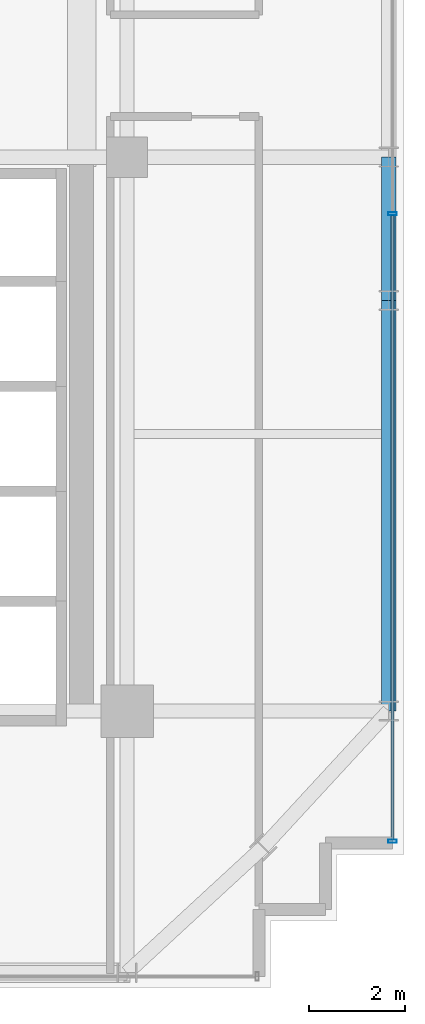
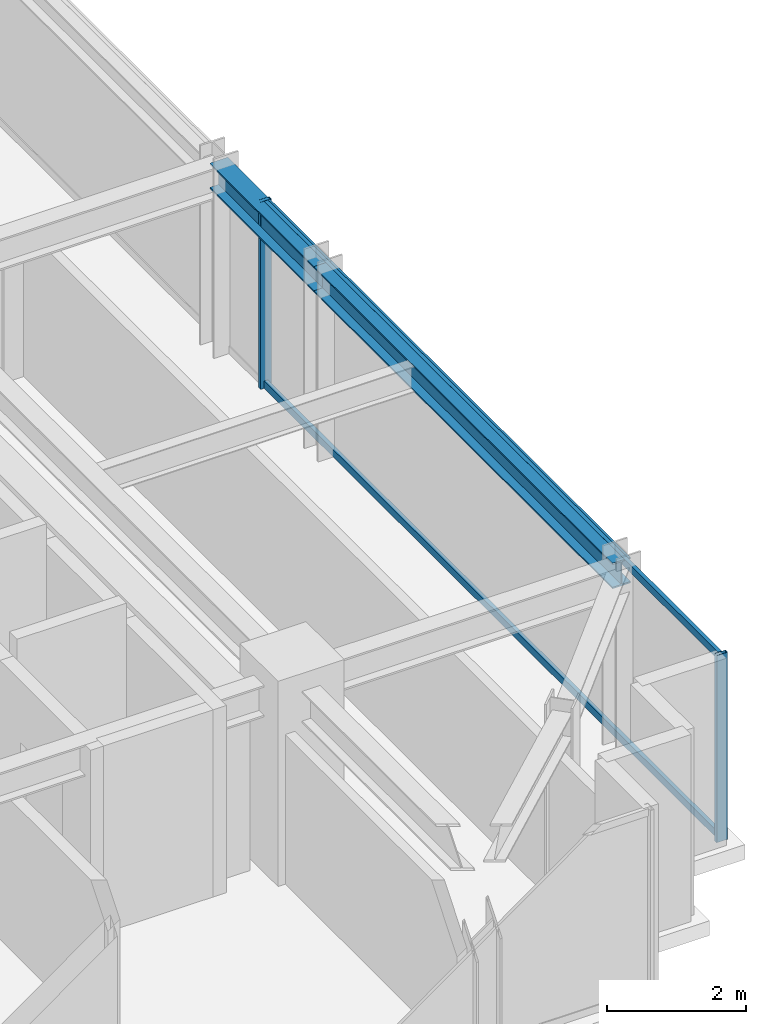
# One storey, part 12 of 32: 4 members, 2 beams, 1 element without a shape of its own.
"""IFC4 building model written with IfcOpenShell, lengths in metres."""

import ifcopenshell
import ifcopenshell.guid

model = None  # the IFC model being written
_history = None  # IfcOwnerHistory: only IFC2X3 demands one
_inside = {}  # id of a spatial element -> (the spatial element, [elements in it])
_under = {}  # id of a project, library or spatial element -> (it, [spatial elements below it])
_declared = {}  # id of a project -> (the project, [libraries it declares])
_typed = {}  # id of a type object -> (the type object, [elements of that type])
_made_of = {}  # id of a material, layer set ... -> (it, [elements and type objects made of it])


def new_model(schema):
    """Start an empty IFC model of exactly this schema.

    Asked for "IFC4X3", IfcOpenShell would pick the latest addendum, in which some entities
    have other attributes; the version numbers below select the first issue.
    IFC2X3 requires an IfcOwnerHistory on every rooted entity: one is made here for all.
    """
    global model, _history
    if schema == "IFC4X3":
        model = ifcopenshell.file(schema_version=(4, 3, 0, 0))
    else:
        model = ifcopenshell.file(schema=schema)
    _inside.clear()
    _under.clear()
    _declared.clear()
    _typed.clear()
    _made_of.clear()
    _history = None
    if model.schema == "IFC2X3":
        org = make("IfcOrganization", Name="unknown")
        user = make(
            "IfcPersonAndOrganization",
            ThePerson=make("IfcPerson", FamilyName="unknown"),
            TheOrganization=org,
        )
        app = make(
            "IfcApplication",
            ApplicationDeveloper=org,
            Version="unknown",
            ApplicationFullName="unknown",
            ApplicationIdentifier="unknown",
        )
        _history = make(
            "IfcOwnerHistory",
            OwningUser=user,
            OwningApplication=app,
            ChangeAction="ADDED",
            CreationDate=0,
        )
    return model


def make(cls, **values):
    """One entity of the class cls with the attributes given. An attribute that is None is left unset."""
    return model.create_entity(
        cls, **{name: value for name, value in values.items() if value is not None}
    )


def rooted(cls, **values):
    """An entity with a GlobalId (a new one), such as an element, a storey or a relation."""
    return make(cls, GlobalId=ifcopenshell.guid.new(), OwnerHistory=_history, **values)


def si_unit(unit_type, name, prefix=None):
    """IfcSIUnit, for example si_unit("LENGTHUNIT", "METRE", prefix="MILLI")."""
    return make("IfcSIUnit", UnitType=unit_type, Prefix=prefix, Name=name)


def assignment(units):
    """IfcUnitAssignment: the units of a project."""
    return None if units is None else make("IfcUnitAssignment", Units=units)


def point(xyz):
    """IfcCartesianPoint."""
    return None if xyz is None else make("IfcCartesianPoint", Coordinates=xyz)


def direction(xyz):
    """IfcDirection."""
    return None if xyz is None else make("IfcDirection", DirectionRatios=xyz)


def frame(location, z_axis=None, x_axis=None):
    """IfcAxis2Placement3D, a coordinate frame: its origin and axes. An axis left out is left unset."""
    return make(
        "IfcAxis2Placement3D",
        Location=point(location),
        Axis=direction(z_axis),
        RefDirection=direction(x_axis),
    )


def frame_2d(location, x_axis=None):
    """IfcAxis2Placement2D, a coordinate frame in the plane: its origin and x axis."""
    return make(
        "IfcAxis2Placement2D", Location=point(location), RefDirection=direction(x_axis)
    )


def origin():
    """The frame at (0, 0, 0) with its axes left unset."""
    return frame((0.0, 0.0, 0.0))


def origin_2d():
    """The frame at (0, 0) in the plane with its x axis left unset."""
    return frame_2d((0.0, 0.0))


def place(relative_to, where):
    """IfcLocalPlacement: puts the frame where relative to a parent placement (None: the world)."""
    return make(
        "IfcLocalPlacement", PlacementRelTo=relative_to, RelativePlacement=where
    )


def context(
    kind, dimensions, precision=None, world=None, true_north=None, identifier=None
):
    """IfcGeometricRepresentationContext, for example the 3D "Model" context."""
    return make(
        "IfcGeometricRepresentationContext",
        ContextIdentifier=identifier,
        ContextType=kind,
        CoordinateSpaceDimension=dimensions,
        Precision=precision,
        WorldCoordinateSystem=world,
        TrueNorth=true_north,
    )


def subcontext(parent, identifier, kind, view, scale=None):
    """IfcGeometricRepresentationSubContext, for example "Body" below "Model"."""
    return make(
        "IfcGeometricRepresentationSubContext",
        ContextIdentifier=identifier,
        ContextType=kind,
        ParentContext=parent,
        TargetScale=scale,
        TargetView=view,
    )


def project(units=None, contexts=None):
    """IfcProject with its units and contexts."""
    return rooted(
        "IfcProject",
        Name="project",
        RepresentationContexts=contexts,
        UnitsInContext=assignment(units),
    )


def spatial(cls, under=None, at=None, **own):
    """A site, building, storey or space (cls), placed at a placement, below another one or the project."""
    s = rooted(cls, ObjectPlacement=at, **own)
    if under is not None:
        _under.setdefault(under.id(), (under, []))[1].append(s)
    return s


def profile(cls, at=None, kind="AREA", **sizes):
    """A parametric profile (cls). Its sizes go by their IFC names, for example OverallWidth=200.0."""
    return make(cls, ProfileType=kind, Position=at, **sizes)


def hollow_rectangle(**sizes):
    """IfcRectangleHollowProfileDef."""
    return profile("IfcRectangleHollowProfileDef", **sizes)


def i_section(**sizes):
    """IfcIShapeProfileDef."""
    return profile("IfcIShapeProfileDef", **sizes)


def extrude(swept, where, along, depth):
    """IfcExtrudedAreaSolid: the profile swept, set in the frame where, extruded along a direction by depth."""
    return make(
        "IfcExtrudedAreaSolid",
        SweptArea=swept,
        Position=where,
        ExtrudedDirection=direction(along),
        Depth=depth,
    )


def shape(context_of_items, identifier, shape_type, items):
    """IfcShapeRepresentation: the items that make up one representation, for example the "Body"."""
    return make(
        "IfcShapeRepresentation",
        ContextOfItems=context_of_items,
        RepresentationIdentifier=identifier,
        RepresentationType=shape_type,
        Items=items,
    )


def source(mapping_origin, context_of_items, identifier, shape_type, items):
    """IfcRepresentationMap: a shape defined once, which mapped items show again and again."""
    return make(
        "IfcRepresentationMap",
        MappingOrigin=mapping_origin,
        MappedRepresentation=shape(context_of_items, identifier, shape_type, items),
    )


def transform(
    local_origin,
    x_axis=None,
    y_axis=None,
    z_axis=None,
    scale=None,
    scale2=None,
    scale3=None,
    uniform=True,
):
    """IfcCartesianTransformationOperator3D, or its non-uniform kind. x_axis, y_axis, z_axis: its Axis1, 2, 3."""
    if uniform:
        return make(
            "IfcCartesianTransformationOperator3D",
            Axis1=direction(x_axis),
            Axis2=direction(y_axis),
            LocalOrigin=point(local_origin),
            Scale=scale,
            Axis3=direction(z_axis),
        )
    return make(
        "IfcCartesianTransformationOperator3DnonUniform",
        Axis1=direction(x_axis),
        Axis2=direction(y_axis),
        LocalOrigin=point(local_origin),
        Scale=scale,
        Axis3=direction(z_axis),
        Scale2=scale2,
        Scale3=scale3,
    )


def mapped(mapping_source, mapping_target):
    """IfcMappedItem: shows the shape of a source again, moved by a transform."""
    return make(
        "IfcMappedItem", MappingSource=mapping_source, MappingTarget=mapping_target
    )


def material(Name=None, Category=None):
    """IfcMaterial."""
    return make("IfcMaterial", Name=Name, Category=Category)


def material_profile(
    of_material, cross_section, Name=None, Category=None, Priority=None
):
    """IfcMaterialProfile: a cross section and its material."""
    return make(
        "IfcMaterialProfile",
        Name=Name,
        Material=of_material,
        Profile=cross_section,
        Priority=Priority,
        Category=Category,
    )


def profile_set(profiles, Name=None, composite=None):
    """IfcMaterialProfileSet."""
    return make(
        "IfcMaterialProfileSet",
        Name=Name,
        MaterialProfiles=profiles,
        CompositeProfile=composite,
    )


def made_of(thing, what):
    """Note that an element or type object is made of a material, layer set ...; save() writes the relation."""
    if what is not None:
        _made_of.setdefault(what.id(), (what, []))[1].append(thing)
    return thing


def type_object(cls, material=None, **own):
    """A type object (cls), such as IfcWallType, which elements share."""
    return made_of(rooted(cls, **own), material)


def element(
    cls,
    number,
    at=None,
    inside=None,
    cuts=None,
    type_object=None,
    material=None,
    context=None,
    identifier="Body",
    shape_type=None,
    held_by="IfcProductDefinitionShape",
    body=None,
    shapes=None,
    **own,
):
    """One element of the class cls, such as IfcWall. Its Tag is "e" and its number.

    at: its placement. inside: the storey or other place that contains it. cuts: it is an
    opening in that element (IfcRelVoidsElement). A single representation is given by context,
    identifier, shape_type and body (its items); several are given by shapes. held_by: the class
    of the entity that holds the representations. save() writes the other relations.
    """
    e = rooted(cls, Tag="e%d" % number, ObjectPlacement=at, **own)
    if body is not None:
        shapes = [shape(context, identifier, shape_type, body)]
    if shapes is not None:
        e.Representation = make(held_by, Representations=shapes)
    if inside is not None:
        _inside.setdefault(inside.id(), (inside, []))[1].append(e)
    if cuts is not None:
        rooted(
            "IfcRelVoidsElement", RelatingBuildingElement=cuts, RelatedOpeningElement=e
        )
    if type_object is not None:
        _typed.setdefault(type_object.id(), (type_object, []))[1].append(e)
    return made_of(e, material)


def aggregate(whole, parts):
    """IfcRelAggregates: a whole, such as a stair, and the parts it consists of."""
    return rooted("IfcRelAggregates", RelatingObject=whole, RelatedObjects=parts)


def save(model, path):
    """Write the relations noted so far, then the file.

    IfcRelAggregates (storeys below a building ...), IfcRelContainedInSpatialStructure (elements
    in a storey), IfcRelDefinesByType, IfcRelAssociatesMaterial and IfcRelDeclares: one each for
    every whole, place, type object, material and project.
    """
    for whole, parts in _under.values():
        aggregate(whole, parts)
    for where, things in _inside.values():
        rooted(
            "IfcRelContainedInSpatialStructure",
            RelatedElements=things,
            RelatingStructure=where,
        )
    for kind, things in _typed.values():
        rooted("IfcRelDefinesByType", RelatedObjects=things, RelatingType=kind)
    for what, things in _made_of.values():
        rooted("IfcRelAssociatesMaterial", RelatedObjects=things, RelatingMaterial=what)
    for by, libraries in _declared.values():
        rooted("IfcRelDeclares", RelatingContext=by, RelatedDefinitions=libraries)
    model.write(path)


model = new_model("IFC4")

# Units and contexts
model_context = context("Model", 3, precision=1e-05, world=origin(), true_north=direction((0.0, 1.0)))
body_context = subcontext(model_context, "Body", "Model", "MODEL_VIEW")
ifc_project = project(units=[si_unit("LENGTHUNIT", "METRE"), si_unit("AREAUNIT", "SQUARE_METRE"), si_unit("VOLUMEUNIT", "CUBIC_METRE"), si_unit("PLANEANGLEUNIT", "RADIAN"), si_unit("MASSUNIT", "GRAM", prefix="KILO")], contexts=[model_context])

# Site, building, storey
site_placement = place(None, origin())
site = spatial("IfcSite", under=ifc_project, at=site_placement, CompositionType="ELEMENT")
building_placement = place(site_placement, origin())
building = spatial("IfcBuilding", under=site, at=building_placement, Name="Nahalor Promenade Grand Hotel", CompositionType="ELEMENT")
storey_placement = place(building_placement, frame((0.0, 0.0, 196.449951171875)))
storey = spatial("IfcBuildingStorey", under=building, at=storey_placement, Name="L50", CompositionType="ELEMENT", Elevation=196.449951171875)

# Beams
ifc_material_1 = material(Name="Steel S355JR", Category="steel")
ifc_material_profile_1 = material_profile(ifc_material_1, i_section(OverallWidth=0.3, OverallDepth=0.45, WebThickness=0.014, FlangeThickness=0.026, at=origin_2d()), Name="HEB 450")
ifc_profile_set_1 = profile_set([ifc_material_profile_1], Name="Steel S355JR")
beam_type = type_object("IfcBeamType", Name="Beam-Spandrel-HEB450", PredefinedType="SPANDREL", material=ifc_profile_set_1)
shared_shape_1 = source(origin(), body_context, "Body", "SweptSolid", [
    extrude(i_section(OverallWidth=0.3, OverallDepth=0.45, WebThickness=0.014, FlangeThickness=0.026, at=origin_2d()), origin(), (0.0, 0.0, 1.0), 8.60009765625),
])
beam_1_placement = place(storey_placement, frame((22.47998046875, -17.0, 3.06494140625), z_axis=(0.0, 1.0, 0.0), x_axis=(-1.0, 0.0, 0.0)))
element("IfcBeam", 1, at=beam_1_placement, inside=storey, type_object=beam_type, Name="BM-L50-SP-E-0", PredefinedType="SPANDREL", context=body_context, shape_type="MappedRepresentation", body=[
    mapped(shared_shape_1, transform((0.0, 0.0, 0.0), scale=1.0)),
])
shared_shape_2 = source(origin(), body_context, "Body", "SweptSolid", [
    extrude(i_section(OverallWidth=0.3, OverallDepth=0.45, WebThickness=0.014, FlangeThickness=0.026, at=origin_2d()), origin(), (0.0, 0.0, 1.0), 3.0),
])
beam_2_placement = place(storey_placement, frame((22.47998046875, -8.39990234375, 3.06494140625), z_axis=(0.0, 1.0, 0.0), x_axis=(-1.0, 0.0, 0.0)))
element("IfcBeam", 2, at=beam_2_placement, inside=storey, type_object=beam_type, Name="BM-L50-SP-E-1", PredefinedType="SPANDREL", context=body_context, shape_type="MappedRepresentation", body=[
    mapped(shared_shape_2, transform((0.0, 0.0, 0.0), scale=1.0)),
])

# Curtain wall, members
ifc_material_2 = material(Name="Anodised Bronze Aluminium EN AW-6063 T6", Category="aluminium")
curtain_wall_type = type_object("IfcCurtainWallType", Name="CW2 Typical Hotel Flush Bronze Unitised Curtain Wall", PredefinedType="USERDEFINED", material=ifc_material_2)
curtain_wall_placement = place(storey_placement, origin())
curtain_wall = element("IfcCurtainWall", 3, at=curtain_wall_placement, inside=storey, type_object=curtain_wall_type, Name="L50 Curtain Wall CW-L50-E-1", ObjectType="UNITISED_CURTAIN_WALL", PredefinedType="USERDEFINED")
ifc_material_profile_2 = material_profile(ifc_material_2, hollow_rectangle(XDim=0.065, YDim=0.13, WallThickness=0.004, at=origin_2d()), Name="CWT 65x130x4")
ifc_profile_set_2 = profile_set([ifc_material_profile_2], Name="Anodised Bronze Aluminium EN AW-6063 T6")
member_type_1 = type_object("IfcMemberType", Name="CWT2 Typical Bronze Transom 65x130", PredefinedType="USERDEFINED", material=ifc_profile_set_2)
shared_shape_3 = source(origin(), body_context, "Body", "SweptSolid", [
    extrude(hollow_rectangle(XDim=0.065, YDim=0.13, WallThickness=0.004, at=origin_2d()), origin(), (0.0, 0.0, 1.0), 13.075927734375),
])
member_1_placement = place(storey_placement, frame((22.56005859375, -19.695068359375, 0.06494140625), z_axis=(0.0, 1.0, 0.0), x_axis=(-1.0, 0.0, 0.0)))
member_1 = element("IfcMember", 4, at=member_1_placement, type_object=member_type_1, Name="CW-L50-E-1 Transom 0-0", ObjectType="TRANSOM", PredefinedType="USERDEFINED", context=body_context, shape_type="MappedRepresentation", body=[
    mapped(shared_shape_3, transform((0.0, 0.0, 0.0), scale=1.0)),
])
member_2_placement = place(storey_placement, frame((22.56005859375, -19.695068359375, 3.22509765625), z_axis=(0.0, 1.0, 0.0), x_axis=(-1.0, 0.0, 0.0)))
member_2 = element("IfcMember", 5, at=member_2_placement, type_object=member_type_1, Name="CW-L50-E-1 Transom 0-1", ObjectType="TRANSOM", PredefinedType="USERDEFINED", context=body_context, shape_type="MappedRepresentation", body=[
    mapped(shared_shape_3, transform((0.0, 0.0, 0.0), scale=1.0)),
])
ifc_material_profile_3 = material_profile(ifc_material_2, hollow_rectangle(XDim=0.065, YDim=0.18, WallThickness=0.004, at=origin_2d()), Name="CWM 65x180x4")
ifc_profile_set_3 = profile_set([ifc_material_profile_3], Name="Anodised Bronze Aluminium EN AW-6063 T6")
member_type_2 = type_object("IfcMemberType", Name="CWM2 Typical Bronze Mullion 65x180", PredefinedType="MULLION", material=ifc_profile_set_3)
shared_shape_4 = source(origin(), body_context, "Body", "SweptSolid", [
    extrude(hollow_rectangle(XDim=0.065, YDim=0.18, WallThickness=0.004, at=origin_2d()), origin(), (0.0, 0.0, 1.0), 3.2900390625),
])
member_3_placement = place(storey_placement, frame((22.56005859375, -19.7275390625, 0.0), z_axis=(0.0, 0.0, 1.0), x_axis=(0.0, 1.0, 0.0)))
member_3 = element("IfcMember", 6, at=member_3_placement, type_object=member_type_2, Name="CW-L50-E-1 Mullion 0", PredefinedType="MULLION", context=body_context, shape_type="MappedRepresentation", body=[
    mapped(shared_shape_4, transform((0.0, 0.0, 0.0), scale=1.0)),
])
member_4_placement = place(storey_placement, frame((22.56005859375, -6.586669921875, 0.0), z_axis=(0.0, 0.0, 1.0), x_axis=(0.0, 1.0, 0.0)))
member_4 = element("IfcMember", 7, at=member_4_placement, type_object=member_type_2, Name="CW-L50-E-1 Mullion 1", PredefinedType="MULLION", context=body_context, shape_type="MappedRepresentation", body=[
    mapped(shared_shape_4, transform((0.0, 0.0, 0.0), scale=1.0)),
])
aggregate(curtain_wall, [member_3, member_4, member_1, member_2])

save(model, "model.ifc")
